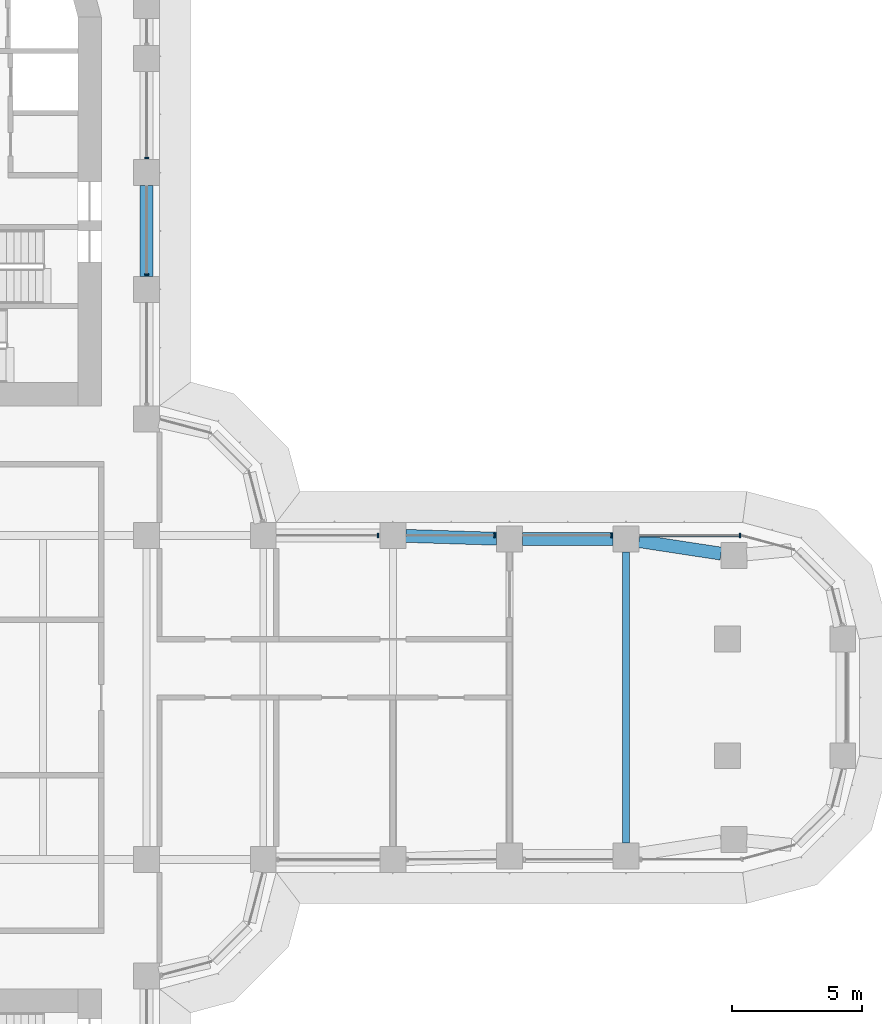
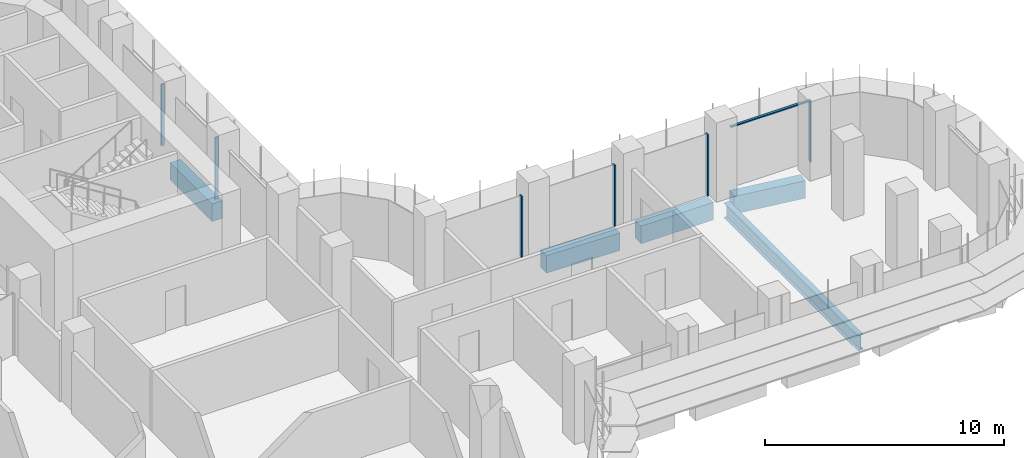
# One storey, part 9 of 23: 7 members, 5 beams, 2 elements without a shape of their own.
"""IFC4 building model written with IfcOpenShell, lengths in metres."""

from ifc_helpers import new_model, si_unit, direction, frame, origin, origin_2d, place, context, subcontext, project, spatial, polyline, rectangle, i_section, outline, extrude, source, transform, mapped, material, material_profile, profile_set, type_object, element, aggregate, save


model = new_model("IFC4")

# Units and contexts
model_context = context("Model", 3, precision=1e-05, world=origin(), true_north=direction((0.0, 1.0)))
body_context = subcontext(model_context, "Body", "Model", "MODEL_VIEW")
ifc_project = project(units=[si_unit("LENGTHUNIT", "METRE"), si_unit("AREAUNIT", "SQUARE_METRE"), si_unit("VOLUMEUNIT", "CUBIC_METRE"), si_unit("PLANEANGLEUNIT", "RADIAN"), si_unit("MASSUNIT", "GRAM", prefix="KILO")], contexts=[model_context])

# Site, building, storey
site_placement = place(None, origin())
site = spatial("IfcSite", under=ifc_project, at=site_placement, CompositionType="ELEMENT")
building_placement = place(site_placement, origin())
building = spatial("IfcBuilding", under=site, at=building_placement, Name="Zarbagh Exchange Tower", CompositionType="ELEMENT")
storey_placement = place(building_placement, frame((0.0, 0.0, 39.60009765625)))
storey = spatial("IfcBuildingStorey", under=building, at=storey_placement, Name="L08", CompositionType="ELEMENT", Elevation=39.60009765625)

# Beams
ifc_material_1 = material(Name="Steel ASTM A992 Gr 50", Category="steel")
ifc_material_profile_1 = material_profile(ifc_material_1, i_section(OverallWidth=0.2666015625, OverallDepth=0.76708984375, WebThickness=0.014892578125, FlangeThickness=0.023681640625, at=origin_2d()), Name="W30X124")
ifc_profile_set_1 = profile_set([ifc_material_profile_1], Name="Steel ASTM A992 Gr 50")
beam_type_1 = type_object("IfcBeamType", Name="Floor beam W30X124", PredefinedType="BEAM", material=ifc_profile_set_1)
beam_1_placement = place(storey_placement, frame((24.75, -5.610107421875, -0.53369140625), z_axis=(0.0, 1.0, 0.0), x_axis=(-1.0, 0.0, 0.0)))
element("IfcBeam", 1, at=beam_1_placement, inside=storey, type_object=beam_type_1, Name="Steel floor beam", PredefinedType="BEAM", context=body_context, shape_type="SweptSolid", body=[
    extrude(i_section(OverallWidth=0.2666015625, OverallDepth=0.76708984375, WebThickness=0.014892578125, FlangeThickness=0.023681640625, at=origin_2d()), origin(), (0.0, 0.0, 1.0), 11.22021484375),
])
ifc_material_2 = material(Name="Concrete C60/75", Category="concrete")
ifc_material_profile_2 = material_profile(ifc_material_2, rectangle(XDim=0.5, YDim=0.89990234375, at=origin_2d()), Name="RC spandrel beam 500 x 900 C60/75")
ifc_profile_set_2 = profile_set([ifc_material_profile_2], Name="Concrete C60/75")
beam_type_2 = type_object("IfcBeamType", Name="RC spandrel beam 500 x 900 C60/75", PredefinedType="SPANDREL", material=ifc_profile_set_2)
beam_2_placement = place(storey_placement, frame((6.25, 19.75, -0.60009765625), z_axis=(0.0, -1.0, 0.0), x_axis=(1.0, 0.0, 0.0)))
element("IfcBeam", 2, at=beam_2_placement, inside=storey, type_object=beam_type_2, Name="RC spandrel beam", PredefinedType="SPANDREL", context=body_context, shape_type="SweptSolid", body=[
    extrude(rectangle(XDim=0.5, YDim=0.89990234375, at=origin_2d()), origin(), (0.0, 0.0, 1.0), 3.5),
])
beam_3_placement = place(storey_placement, frame((16.249755859375, 6.234619140625, -0.60009765625), z_axis=(0.999514385708, -0.031160756759, 0.0), x_axis=(0.031160756759, 0.999514385708, 0.0)))
element("IfcBeam", 3, at=beam_3_placement, inside=storey, type_object=beam_type_2, Name="RC spandrel beam", PredefinedType="SPANDREL", context=body_context, shape_type="SweptSolid", body=[
    extrude(rectangle(XDim=0.5, YDim=0.89990234375, at=origin_2d()), origin(), (0.0, 0.0, 1.0), 3.502197265625),
])
beam_4_placement = place(storey_placement, frame((20.75, 6.110107421875, -0.60009765625), z_axis=(1.0, 0.0, 0.0), x_axis=(0.0, 1.0, 0.0)))
element("IfcBeam", 4, at=beam_4_placement, inside=storey, type_object=beam_type_2, Name="RC spandrel beam", PredefinedType="SPANDREL", context=body_context, shape_type="SweptSolid", body=[
    extrude(rectangle(XDim=0.5, YDim=0.89990234375, at=origin_2d()), origin(), (0.0, 0.0, 1.0), 3.5),
])
beam_5_placement = place(storey_placement, frame((25.244384765625, 6.034423828125, -0.60009765625), z_axis=(0.988545350976, -0.150924116903, 0.0), x_axis=(0.150924116903, 0.988545350976, 0.0)))
element("IfcBeam", 5, at=beam_5_placement, inside=storey, type_object=beam_type_2, Name="RC spandrel beam", PredefinedType="SPANDREL", context=body_context, shape_type="SweptSolid", body=[
    extrude(rectangle(XDim=0.5, YDim=0.89990234375, at=origin_2d()), origin(), (0.0, 0.0, 1.0), 3.2060546875),
])

# Curtain wall, members
ifc_material_3 = material(Name="Anodised aluminium frame and glazing", Category="aluminium")
curtain_wall_type = type_object("IfcCurtainWallType", Name="CWA Ribbon glazing, lower zones", PredefinedType="NOTDEFINED", material=ifc_material_3)
curtain_wall_1_placement = place(storey_placement, origin())
curtain_wall_1 = element("IfcCurtainWall", 6, at=curtain_wall_1_placement, inside=storey, type_object=curtain_wall_type, Name="CWA16 curtain wall", PredefinedType="NOTDEFINED")
ifc_material_4 = material(Name="Anodised aluminium frame", Category="aluminium")
member_type_1 = type_object("IfcMemberType", Name="MUA Mullion, anodised aluminium frame", PredefinedType="MULLION", material=ifc_material_4)
shared_shape_1 = source(origin(), body_context, "Body", "SweptSolid", [
    extrude(outline(polyline([(0.0, -0.080078125), (0.06005859375, -0.080078125), (0.06005859375, 0.080078125), (0.0, 0.080078125), (0.0, -0.080078125)])), origin(), (0.0, 0.0, 1.0), 3.14990234375),
])
placement = place(storey_placement, origin())
member_1 = element("IfcMember", 7, at=placement, type_object=member_type_1, Name="CWA16 mullion 1.1", PredefinedType="MULLION", context=body_context, shape_type="MappedRepresentation", body=[
    mapped(shared_shape_1, transform((29.18408203125, 6.25, 0.0), x_axis=(-1.0, 0.0, 0.0), y_axis=(0.0, -1.0, 0.0), z_axis=(0.0, 0.0, 1.0))),
])
member_2 = element("IfcMember", 8, at=placement, type_object=member_type_1, Name="CWA16 mullion 2.1", PredefinedType="MULLION", context=body_context, shape_type="MappedRepresentation", body=[
    mapped(shared_shape_1, transform((24.2099609375, 6.25, 0.0), x_axis=(-1.0, 0.0, 0.0), y_axis=(0.0, -1.0, 0.0), z_axis=(0.0, 0.0, 1.0))),
])
member_3 = element("IfcMember", 9, at=placement, type_object=member_type_1, Name="CWA16 mullion 3.1", PredefinedType="MULLION", context=body_context, shape_type="MappedRepresentation", body=[
    mapped(shared_shape_1, transform((19.7099609375, 6.25, 0.0), x_axis=(-1.0, 0.0, 0.0), y_axis=(0.0, -1.0, 0.0), z_axis=(0.0, 0.0, 1.0))),
])
member_4 = element("IfcMember", 10, at=placement, type_object=member_type_1, Name="CWA16 mullion 4.1", PredefinedType="MULLION", context=body_context, shape_type="MappedRepresentation", body=[
    mapped(shared_shape_1, transform((15.2099609375, 6.25, 0.0), x_axis=(-1.0, 0.0, 0.0), y_axis=(0.0, -1.0, 0.0), z_axis=(0.0, 0.0, 1.0))),
])

curtain_wall_2_placement = place(storey_placement, origin())
curtain_wall_2 = element("IfcCurtainWall", 11, at=curtain_wall_2_placement, inside=storey, type_object=curtain_wall_type, Name="CWA20 curtain wall", PredefinedType="NOTDEFINED")
member_5 = element("IfcMember", 12, at=placement, type_object=member_type_1, Name="CWA20 mullion 2.1", PredefinedType="MULLION", context=body_context, shape_type="MappedRepresentation", body=[
    mapped(shared_shape_1, transform((6.25, 16.2900390625, 0.0), x_axis=(0.0, 1.0, 0.0), y_axis=(-1.0, 0.0, 0.0), z_axis=(0.0, 0.0, 1.0))),
])
member_6 = element("IfcMember", 13, at=placement, type_object=member_type_1, Name="CWA20 mullion 3.1", PredefinedType="MULLION", context=body_context, shape_type="MappedRepresentation", body=[
    mapped(shared_shape_1, transform((6.25, 20.7900390625, 0.0), x_axis=(0.0, 1.0, 0.0), y_axis=(-1.0, 0.0, 0.0), z_axis=(0.0, 0.0, 1.0))),
])
aggregate(curtain_wall_2, [member_5, member_6])

# Member
member_type_2 = type_object("IfcMemberType", Name="TRA Transom, anodised aluminium frame", PredefinedType="USERDEFINED", material=ifc_material_4)
shared_shape_2 = source(origin(), body_context, "Body", "SweptSolid", [
    extrude(outline(polyline([(-0.06005859375, -0.06005859375), (0.0, -0.06005859375), (0.0, 0.06005859375), (-0.06005859375, 0.06005859375), (-0.06005859375, -0.06005859375)])), origin(), (0.0, 0.0, 1.0), 3.834228515625),
])
member_7 = element("IfcMember", 14, at=placement, type_object=member_type_2, Name="CWA16 transom 1.1", ObjectType="TRANSOM", PredefinedType="USERDEFINED", context=body_context, shape_type="MappedRepresentation", body=[
    mapped(shared_shape_2, transform((29.124267578125, 6.25, 3.14990234375), x_axis=(0.0, 0.0, 1.0), y_axis=(0.0, 1.0, 0.0), z_axis=(-1.0, 0.0, 0.0))),
])

aggregate(curtain_wall_1, [member_1, member_7, member_2, member_3, member_4])

save(model, "model.ifc")
